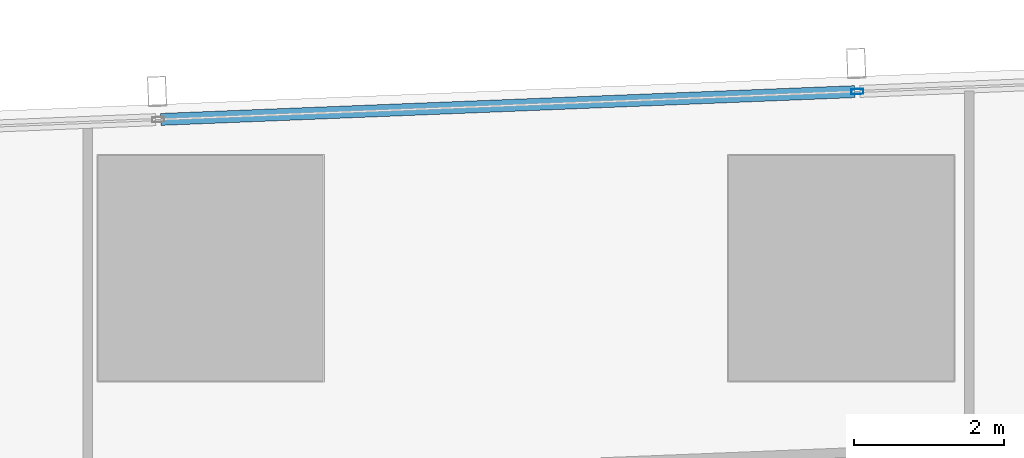
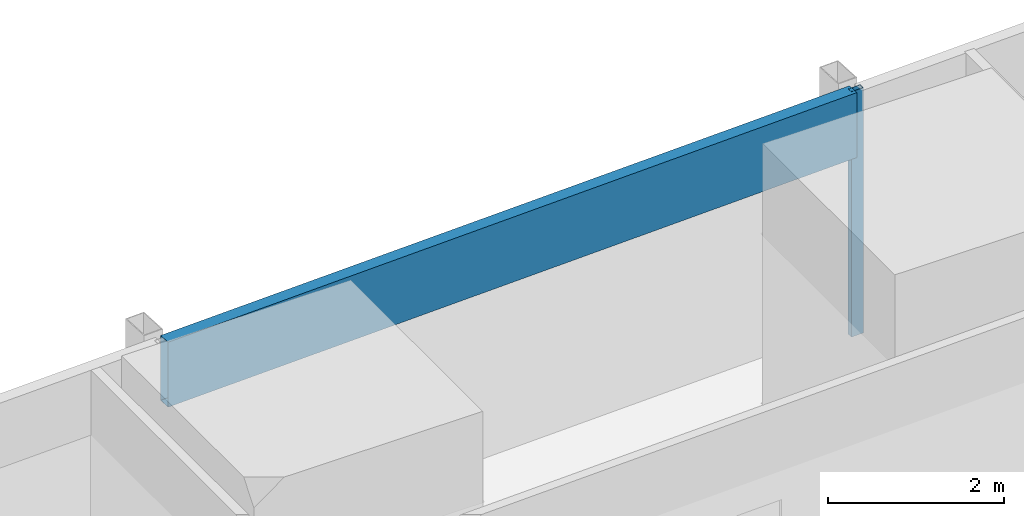
# One storey, part 16 of 38: 2 members, 1 element without a shape of its own.
"""IFC4 building model written with IfcOpenShell, lengths in metres."""

from ifc_helpers import new_model, si_unit, direction, frame, origin, origin_2d, place, context, subcontext, project, spatial, hollow_rectangle, extrude, material, material_profile, profile_set, type_object, element, aggregate, save


model = new_model("IFC4")

# Units and contexts
model_context = context("Model", 3, precision=1e-05, world=origin(), true_north=direction((0.0, 1.0)))
body_context = subcontext(model_context, "Body", "Model", "MODEL_VIEW")
ifc_project = project(units=[si_unit("LENGTHUNIT", "METRE"), si_unit("AREAUNIT", "SQUARE_METRE"), si_unit("VOLUMEUNIT", "CUBIC_METRE"), si_unit("PLANEANGLEUNIT", "RADIAN"), si_unit("MASSUNIT", "GRAM", prefix="KILO")], contexts=[model_context])

# Site, building, storey
site_placement = place(None, origin())
site = spatial("IfcSite", under=ifc_project, at=site_placement, CompositionType="ELEMENT")
building_placement = place(site_placement, origin())
building = spatial("IfcBuilding", under=site, at=building_placement, Name="Rekha Terrace Tower", CompositionType="ELEMENT")
storey_placement = place(building_placement, frame((0.0, 0.0, 159.050048828125)))
storey = spatial("IfcBuildingStorey", under=building, at=storey_placement, Name="L40", CompositionType="ELEMENT", Elevation=159.050048828125)

# Curtain wall, members
ifc_material_1 = material(Name="Aluminium framing", Category="aluminium")
curtain_wall_type = type_object("IfcCurtainWallType", Name="CW3 north unitised glazing", PredefinedType="USERDEFINED", material=ifc_material_1)
curtain_wall_placement = place(storey_placement, origin())
curtain_wall = element("IfcCurtainWall", 1, at=curtain_wall_placement, inside=storey, type_object=curtain_wall_type, Name="CW3 unitised curtain wall", ObjectType="UNITISED CURTAIN WALL", PredefinedType="USERDEFINED")
ifc_material_2 = material(Name="Aluminium mullion section", Category="aluminium")
ifc_material_profile_1 = material_profile(ifc_material_2, hollow_rectangle(XDim=0.070068359375, YDim=0.159912109375, WallThickness=0.00390625, at=origin_2d()), Name="AL RHS 70x160")
ifc_profile_set_1 = profile_set([ifc_material_profile_1], Name="Aluminium mullion section")
member_type_1 = type_object("IfcMemberType", Name="CW3 mullion RHS 70 x 160", PredefinedType="MULLION", material=ifc_profile_set_1)
member_1_placement = place(storey_placement, frame((25.413818359375, 61.153564453125, 0.0), z_axis=(0.0, 0.0, 1.0), x_axis=(0.040031987119, -0.999198398721, 0.0)))
member_1 = element("IfcMember", 2, at=member_1_placement, type_object=member_type_1, Name="CW3 mullion 3", PredefinedType="MULLION", context=body_context, shape_type="SweptSolid", body=[
    extrude(hollow_rectangle(XDim=0.070068359375, YDim=0.159912109375, WallThickness=0.00390625, at=origin_2d()), origin(), (0.0, 0.0, 1.0), 3.39990234375),
])
ifc_material_3 = material(Name="Insulated aluminium spandrel box", Category="aluminium")
ifc_material_profile_2 = material_profile(ifc_material_3, hollow_rectangle(XDim=0.159912109375, YDim=0.89990234375, WallThickness=0.0029296875, at=origin_2d()), Name="AL SPANDREL BOX 160x900")
ifc_profile_set_2 = profile_set([ifc_material_profile_2], Name="Insulated aluminium spandrel box")
member_type_2 = type_object("IfcMemberType", Name="CW3 spandrel transom 160 x 900", PredefinedType="USERDEFINED", material=ifc_profile_set_2)
member_2_placement = place(storey_placement, frame((25.37890625, 61.152099609375, 2.949951171875), z_axis=(-0.999199102424, -0.040014418831, 0.0), x_axis=(0.040014418831, -0.999199102424, 0.0)))
member_2 = element("IfcMember", 3, at=member_2_placement, type_object=member_type_2, Name="CW3 spandrel transom 3", ObjectType="TRANSOM", PredefinedType="USERDEFINED", context=body_context, shape_type="SweptSolid", body=[
    extrude(hollow_rectangle(XDim=0.159912109375, YDim=0.89990234375, WallThickness=0.0029296875, at=origin_2d()), origin(), (0.0, 0.0, 1.0), 9.24951171875),
])
aggregate(curtain_wall, [member_1, member_2])

save(model, "model.ifc")
